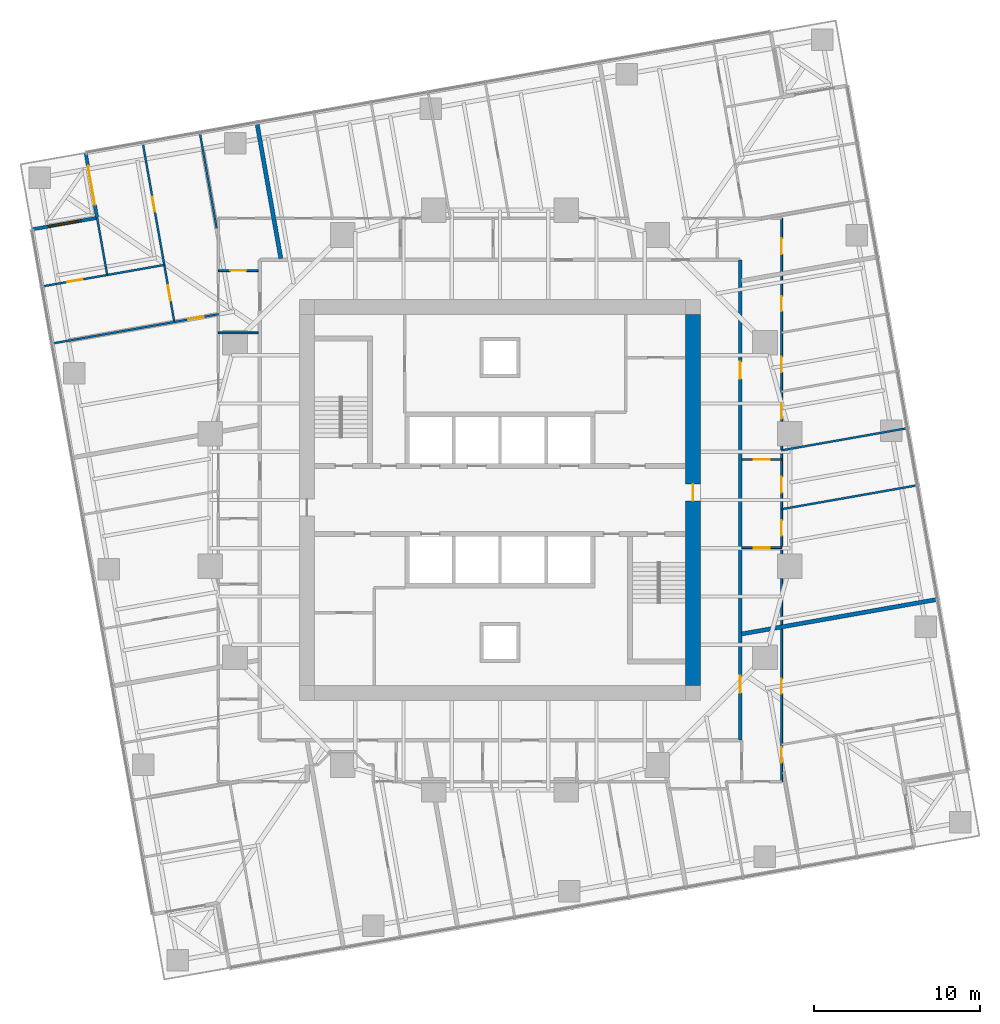
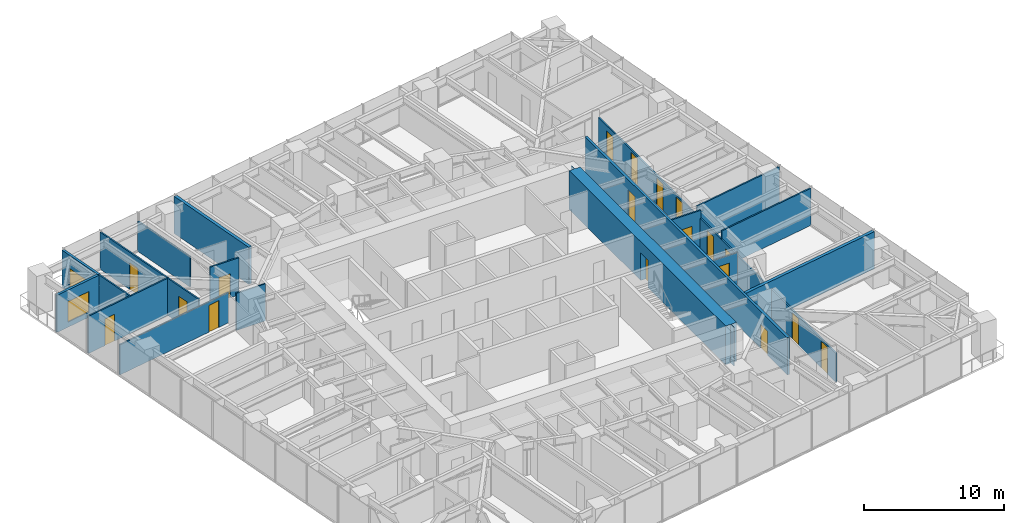
# One storey, part 11 of 14: 19 doors, 18 walls, 1 window, 20 openings.
"""IFC4 building model written with IfcOpenShell, lengths in metres."""

from ifc_helpers import new_model, si_unit, direction, frame, frame_2d, origin, place, context, subcontext, project, spatial, polyline, rectangle, outline, extrude, material, layer, layer_set, type_object, element, fill, save


model = new_model("IFC4")

# Units and contexts
model_context = context("Model", 3, precision=1e-05, world=origin(), true_north=direction((0.0, 1.0)))
body_context = subcontext(model_context, "Body", "Model", "MODEL_VIEW")
ifc_project = project(units=[si_unit("LENGTHUNIT", "METRE"), si_unit("AREAUNIT", "SQUARE_METRE"), si_unit("VOLUMEUNIT", "CUBIC_METRE"), si_unit("PLANEANGLEUNIT", "RADIAN"), si_unit("MASSUNIT", "GRAM", prefix="KILO")], contexts=[model_context])

# Site, building, storey
site_placement = place(None, origin())
site = spatial("IfcSite", under=ifc_project, at=site_placement, CompositionType="ELEMENT")
building_placement = place(site_placement, origin())
building = spatial("IfcBuilding", under=site, at=building_placement, Name="Torsade Residences", CompositionType="ELEMENT")
storey_placement = place(building_placement, frame((0.0, 0.0, 86.199951171875)))
storey = spatial("IfcBuildingStorey", under=building, at=storey_placement, Name="L23", CompositionType="ELEMENT", Elevation=86.199951171875)

# Wall, opening, door
ifc_material_1 = material(Name="Concrete 80 MPa", Category="concrete")
ifc_layer_1 = layer(ifc_material_1, 0.89990234375)
ifc_layer_set_1 = layer_set([ifc_layer_1], Name="Concrete 80 MPa")
wall_type_1 = type_object("IfcWallType", Name="CORE WALL 900", PredefinedType="SHEAR", material=ifc_layer_set_1)
wall_1_placement = place(storey_placement, frame((51.64990234375, 18.800048828125, 0.0), z_axis=(0.0, 0.0, 1.0), x_axis=(0.0, 1.0, 0.0)))
wall_1 = element("IfcWall", 1, at=wall_1_placement, inside=storey, type_object=wall_type_1, Name="Core wall E L23", PredefinedType="SHEAR", context=body_context, shape_type="SweptSolid", body=[
    extrude(outline(polyline([(0.0, -0.449951171875), (22.39990234375, -0.449951171875), (22.39990234375, -0.02490234375), (22.849853515625, -0.02490234375), (22.849853515625, 0.02490234375), (22.39990234375, 0.02490234375), (22.39990234375, 0.449951171875), (0.0, 0.449951171875), (0.0, 0.02490234375), (-0.449951171875, 0.02490234375), (-0.449951171875, -0.02490234375), (0.0, -0.02490234375), (0.0, -0.449951171875)])), origin(), (0.0, 0.0, 1.0), 3.400146484375),
])
opening_1_placement = place(wall_1_placement, frame((11.139892578125, 0.0, 0.0)))
opening_1 = element("IfcOpeningElement", 2, at=opening_1_placement, cuts=wall_1, Name="Opening D04", PredefinedType="OPENING", context=body_context, shape_type="SweptSolid", body=[
    extrude(rectangle(XDim=1.02001953125, YDim=2.39990234375, at=frame_2d((0.510009765625, 1.199951171875))), frame((0.0, 0.4599609375, 0.0), z_axis=(0.0, -1.0, 0.0), x_axis=(1.0, 0.0, 0.0)), (0.0, 0.0, 1.0), 0.919921875),
])
ifc_material_2 = material(Name="Steel-framed fire door", Category="steel")
door_type_1 = type_object("IfcDoorType", Name="LOBBY SMOKE DOOR 1020x2400", OperationType="NOTDEFINED", PredefinedType="DOOR", material=ifc_material_2)
door_1_placement = place(opening_1_placement, origin())
door_1 = element("IfcDoor", 3, at=door_1_placement, inside=storey, type_object=door_type_1, Name="Lift lobby door E L23", OperationType="SINGLE_SWING_LEFT", OverallHeight=2.39990234375, OverallWidth=1.02001953125, PredefinedType="DOOR", context=body_context, shape_type="SweptSolid", body=[
    extrude(rectangle(XDim=1.02001953125, YDim=2.39990234375, at=frame_2d((0.510009765625, 1.199951171875))), frame((0.0, 0.02490234375, 0.0), z_axis=(0.0, -1.0, 0.0), x_axis=(1.0, 0.0, 0.0)), (0.0, 0.0, 1.0), 0.050048828125),
])
fill(opening_1, door_1)

# Wall, openings, doors
ifc_material_3 = material(Name="Plasterboard on steel stud", Category="steel")
ifc_layer_2 = layer(ifc_material_3, 0.199951171875)
ifc_layer_set_2 = layer_set([ifc_layer_2], Name="Plasterboard on steel stud")
wall_type_2 = type_object("IfcWallType", Name="CORRIDOR WALL 200", PredefinedType="PARTITIONING", material=ifc_layer_set_2)
wall_2_placement = place(storey_placement, frame((54.5, 15.5, 0.0), z_axis=(0.0, 0.0, 1.0), x_axis=(0.0, 1.0, 0.0)))
wall_2 = element("IfcWall", 4, at=wall_2_placement, inside=storey, type_object=wall_type_2, Name="Corridor wall L23", PredefinedType="PARTITIONING", context=body_context, shape_type="SweptSolid", body=[
    extrude(rectangle(XDim=29.0, YDim=0.199951171875, at=frame_2d((14.5, 0.0))), origin(), (0.0, 0.0, 1.0), 3.25),
])
opening_2_placement = place(wall_2_placement, frame((21.8154296875, 0.0, 0.0)))
opening_2 = element("IfcOpeningElement", 5, at=opening_2_placement, cuts=wall_2, Name="Opening D01", PredefinedType="OPENING", context=body_context, shape_type="SweptSolid", body=[
    extrude(rectangle(XDim=1.02001953125, YDim=2.340087890625, at=frame_2d((0.510009765625, 1.169921875))), frame((0.0, 0.10986328125, 0.0), z_axis=(0.0, -1.0, 0.0), x_axis=(1.0, 0.0, 0.0)), (0.0, 0.0, 1.0), 0.219970703125),
])
opening_3_placement = place(wall_2_placement, frame((2.85546875, 0.0, 0.0)))
opening_3 = element("IfcOpeningElement", 6, at=opening_3_placement, cuts=wall_2, Name="Opening D01L", PredefinedType="OPENING", context=body_context, shape_type="SweptSolid", body=[
    extrude(rectangle(XDim=1.02001953125, YDim=2.10009765625, at=frame_2d((0.510009765625, 1.050048828125))), frame((0.0, 0.10986328125, 0.0), z_axis=(0.0, -1.0, 0.0), x_axis=(1.0, 0.0, 0.0)), (0.0, 0.0, 1.0), 0.219970703125),
])
ifc_material_4 = material(Name="Solid-core timber fire door", Category="wood")
door_type_2 = type_object("IfcDoorType", Name="APARTMENT ENTRY DOOR 1020x2100", OperationType="NOTDEFINED", PredefinedType="DOOR", material=ifc_material_4)
door_2_placement = place(opening_3_placement, origin())
door_2 = element("IfcDoor", 7, at=door_2_placement, inside=storey, type_object=door_type_2, Name="Door Residential corridor to Kitchen and dining", OperationType="SINGLE_SWING_LEFT", OverallHeight=2.10009765625, OverallWidth=1.02001953125, PredefinedType="DOOR", context=body_context, shape_type="SweptSolid", body=[
    extrude(rectangle(XDim=1.02001953125, YDim=2.10009765625, at=frame_2d((0.510009765625, 1.050048828125))), frame((0.0, 0.02490234375, 0.0), z_axis=(0.0, -1.0, 0.0), x_axis=(1.0, 0.0, 0.0)), (0.0, 0.0, 1.0), 0.050048828125),
])
fill(opening_3, door_2)
ifc_material_5 = material(Name="Solid-core timber fire door", Category="wood")
door_type_3 = type_object("IfcDoorType", Name="APARTMENT ENTRY DOOR 1020x2340", OperationType="NOTDEFINED", PredefinedType="DOOR", material=ifc_material_5)
door_3_placement = place(opening_2_placement, origin())
door_3 = element("IfcDoor", 8, at=door_3_placement, inside=storey, type_object=door_type_3, Name="Door Residential corridor to Kitchen and dining", OperationType="SINGLE_SWING_LEFT", OverallHeight=2.340087890625, OverallWidth=1.02001953125, PredefinedType="DOOR", context=body_context, shape_type="SweptSolid", body=[
    extrude(rectangle(XDim=1.02001953125, YDim=2.340087890625, at=frame_2d((0.510009765625, 1.169921875))), frame((0.0, 0.02490234375, 0.0), z_axis=(0.0, -1.0, 0.0), x_axis=(1.0, 0.0, 0.0)), (0.0, 0.0, 1.0), 0.050048828125),
])
fill(opening_2, door_3)

ifc_material_6 = material(Name="Plasterboard on steel stud", Category="steel")
ifc_layer_3 = layer(ifc_material_6, 0.1201171875)
ifc_layer_set_3 = layer_set([ifc_layer_3], Name="Plasterboard on steel stud")
wall_type_3 = type_object("IfcWallType", Name="PARTITION 120", PredefinedType="PARTITIONING", material=ifc_layer_set_3)
wall_3_placement = place(storey_placement, frame((57.0, 47.0, 0.0), z_axis=(0.0, 0.0, 1.0), x_axis=(0.0, -1.0, 0.0)))
wall_3 = element("IfcWall", 9, at=wall_3_placement, inside=storey, type_object=wall_type_3, Name="Partition L23", PredefinedType="PARTITIONING", context=body_context, shape_type="SweptSolid", body=[
    extrude(rectangle(XDim=34.0, YDim=0.1201171875, at=frame_2d((17.0, 0.0))), origin(), (0.0, 0.0, 1.0), 2.550048828125),
])
opening_4_placement = place(wall_3_placement, frame((8.361328125, 0.0, 0.0)))
opening_4 = element("IfcOpeningElement", 10, at=opening_4_placement, cuts=wall_3, Name="Opening D02", PredefinedType="OPENING", context=body_context, shape_type="SweptSolid", body=[
    extrude(rectangle(XDim=0.919921875, YDim=2.340087890625, at=frame_2d((0.4599609375, 1.169921875))), frame((0.0, 0.070068359375, 0.0), z_axis=(0.0, -1.0, 0.0), x_axis=(1.0, 0.0, 0.0)), (0.0, 0.0, 1.0), 0.14013671875),
])
opening_5_placement = place(wall_3_placement, frame((11.16552734375, 0.0, 0.0)))
opening_5 = element("IfcOpeningElement", 11, at=opening_5_placement, cuts=wall_3, Name="Opening D02", PredefinedType="OPENING", context=body_context, shape_type="SweptSolid", body=[
    extrude(rectangle(XDim=0.919921875, YDim=2.340087890625, at=frame_2d((0.4599609375, 1.169921875))), frame((0.0, 0.070068359375, 0.0), z_axis=(0.0, -1.0, 0.0), x_axis=(1.0, 0.0, 0.0)), (0.0, 0.0, 1.0), 0.14013671875),
])
opening_6_placement = place(wall_3_placement, frame((4.682861328125, 0.0, 0.0)))
opening_6 = element("IfcOpeningElement", 12, at=opening_6_placement, cuts=wall_3, Name="Opening D02", PredefinedType="OPENING", context=body_context, shape_type="SweptSolid", body=[
    extrude(rectangle(XDim=0.919921875, YDim=2.340087890625, at=frame_2d((0.4599609375, 1.169921875))), frame((0.0, 0.070068359375, 0.0), z_axis=(0.0, -1.0, 0.0), x_axis=(1.0, 0.0, 0.0)), (0.0, 0.0, 1.0), 0.14013671875),
])
opening_7_placement = place(wall_3_placement, frame((27.78369140625, 0.0, 0.0)))
opening_7 = element("IfcOpeningElement", 13, at=opening_7_placement, cuts=wall_3, Name="Opening D02", PredefinedType="OPENING", context=body_context, shape_type="SweptSolid", body=[
    extrude(rectangle(XDim=0.919921875, YDim=2.340087890625, at=frame_2d((0.4599609375, 1.169921875))), frame((0.0, 0.070068359375, 0.0), z_axis=(0.0, -1.0, 0.0), x_axis=(1.0, 0.0, 0.0)), (0.0, 0.0, 1.0), 0.14013671875),
])
opening_8_placement = place(wall_3_placement, frame((31.939208984375, 0.0, 0.0)))
opening_8 = element("IfcOpeningElement", 14, at=opening_8_placement, cuts=wall_3, Name="Opening D02", PredefinedType="OPENING", context=body_context, shape_type="SweptSolid", body=[
    extrude(rectangle(XDim=0.919921875, YDim=2.340087890625, at=frame_2d((0.4599609375, 1.169921875))), frame((0.0, 0.070068359375, 0.0), z_axis=(0.0, -1.0, 0.0), x_axis=(1.0, 0.0, 0.0)), (0.0, 0.0, 1.0), 0.14013671875),
])
opening_9_placement = place(wall_3_placement, frame((15.600830078125, 0.0, 0.0)))
opening_9 = element("IfcOpeningElement", 15, at=opening_9_placement, cuts=wall_3, Name="Opening D05", PredefinedType="OPENING", context=body_context, shape_type="SweptSolid", body=[
    extrude(rectangle(XDim=0.9599609375, YDim=2.10009765625, at=frame_2d((0.47998046875, 1.050048828125))), frame((0.0, 0.070068359375, 0.0), z_axis=(0.0, -1.0, 0.0), x_axis=(1.0, 0.0, 0.0)), (0.0, 0.0, 1.0), 0.14013671875),
])
opening_10_placement = place(wall_3_placement, frame((18.209716796875, 0.0, 0.0)))
opening_10 = element("IfcOpeningElement", 16, at=opening_10_placement, cuts=wall_3, Name="Opening D05", PredefinedType="OPENING", context=body_context, shape_type="SweptSolid", body=[
    extrude(rectangle(XDim=0.9599609375, YDim=2.10009765625, at=frame_2d((0.47998046875, 1.050048828125))), frame((0.0, 0.070068359375, 0.0), z_axis=(0.0, -1.0, 0.0), x_axis=(1.0, 0.0, 0.0)), (0.0, 0.0, 1.0), 0.14013671875),
])
opening_11_placement = place(wall_3_placement, frame((1.190185546875, 0.0, 0.0)))
opening_11 = element("IfcOpeningElement", 17, at=opening_11_placement, cuts=wall_3, Name="Opening D05", PredefinedType="OPENING", context=body_context, shape_type="SweptSolid", body=[
    extrude(rectangle(XDim=0.9599609375, YDim=2.10009765625, at=frame_2d((0.47998046875, 1.050048828125))), frame((0.0, 0.070068359375, 0.0), z_axis=(0.0, -1.0, 0.0), x_axis=(1.0, 0.0, 0.0)), (0.0, 0.0, 1.0), 0.14013671875),
])
ifc_material_7 = material(Name="Hollow-core timber door in a steel cavity frame", Category="steel")
door_type_4 = type_object("IfcDoorType", Name="BATHROOM CAVITY SLIDING DOOR 960", OperationType="SLIDING_TO_LEFT", PredefinedType="DOOR", material=ifc_material_7)
door_4_placement = place(opening_9_placement, origin())
door_4 = element("IfcDoor", 18, at=door_4_placement, inside=storey, type_object=door_type_4, Name="Door Bathroom to Bedroom 1", OperationType="SLIDING_TO_LEFT", OverallHeight=2.10009765625, OverallWidth=0.9599609375, PredefinedType="DOOR", context=body_context, shape_type="SweptSolid", body=[
    extrude(rectangle(XDim=0.9599609375, YDim=2.10009765625, at=frame_2d((0.47998046875, 1.050048828125))), frame((0.0, 0.02490234375, 0.0), z_axis=(0.0, -1.0, 0.0), x_axis=(1.0, 0.0, 0.0)), (0.0, 0.0, 1.0), 0.050048828125),
])
fill(opening_9, door_4)
door_5_placement = place(opening_10_placement, origin())
door_5 = element("IfcDoor", 19, at=door_5_placement, inside=storey, type_object=door_type_4, Name="Door Bathroom to Living room", OperationType="SLIDING_TO_LEFT", OverallHeight=2.10009765625, OverallWidth=0.9599609375, PredefinedType="DOOR", context=body_context, shape_type="SweptSolid", body=[
    extrude(rectangle(XDim=0.9599609375, YDim=2.10009765625, at=frame_2d((0.47998046875, 1.050048828125))), frame((0.0, 0.02490234375, 0.0), z_axis=(0.0, -1.0, 0.0), x_axis=(1.0, 0.0, 0.0)), (0.0, 0.0, 1.0), 0.050048828125),
])
fill(opening_10, door_5)
door_6_placement = place(opening_11_placement, origin())
door_6 = element("IfcDoor", 20, at=door_6_placement, inside=storey, type_object=door_type_4, Name="Door Bathroom to Study", OperationType="SLIDING_TO_LEFT", OverallHeight=2.10009765625, OverallWidth=0.9599609375, PredefinedType="DOOR", context=body_context, shape_type="SweptSolid", body=[
    extrude(rectangle(XDim=0.9599609375, YDim=2.10009765625, at=frame_2d((0.47998046875, 1.050048828125))), frame((0.0, 0.02490234375, 0.0), z_axis=(0.0, -1.0, 0.0), x_axis=(1.0, 0.0, 0.0)), (0.0, 0.0, 1.0), 0.050048828125),
])
fill(opening_11, door_6)
ifc_material_8 = material(Name="Hollow-core timber door", Category="wood")
door_type_5 = type_object("IfcDoorType", Name="INTERNAL DOOR 920x2340", OperationType="NOTDEFINED", PredefinedType="DOOR", material=ifc_material_8)
door_7_placement = place(opening_4_placement, origin())
door_7 = element("IfcDoor", 21, at=door_7_placement, inside=storey, type_object=door_type_5, Name="Door Kitchen and dining to Study", OperationType="SINGLE_SWING_RIGHT", OverallHeight=2.340087890625, OverallWidth=0.919921875, PredefinedType="DOOR", context=body_context, shape_type="SweptSolid", body=[
    extrude(rectangle(XDim=0.919921875, YDim=2.340087890625, at=frame_2d((0.4599609375, 1.169921875))), frame((0.0, 0.02490234375, 0.0), z_axis=(0.0, -1.0, 0.0), x_axis=(1.0, 0.0, 0.0)), (0.0, 0.0, 1.0), 0.050048828125),
])
fill(opening_4, door_7)
door_8_placement = place(opening_5_placement, origin())
door_8 = element("IfcDoor", 22, at=door_8_placement, inside=storey, type_object=door_type_5, Name="Door Kitchen and dining to Bedroom 2", OperationType="SINGLE_SWING_RIGHT", OverallHeight=2.340087890625, OverallWidth=0.919921875, PredefinedType="DOOR", context=body_context, shape_type="SweptSolid", body=[
    extrude(rectangle(XDim=0.919921875, YDim=2.340087890625, at=frame_2d((0.4599609375, 1.169921875))), frame((0.0, 0.02490234375, 0.0), z_axis=(0.0, -1.0, 0.0), x_axis=(1.0, 0.0, 0.0)), (0.0, 0.0, 1.0), 0.050048828125),
])
fill(opening_5, door_8)
door_9_placement = place(opening_6_placement, origin())
door_9 = element("IfcDoor", 23, at=door_9_placement, inside=storey, type_object=door_type_5, Name="Door Kitchen and dining to Family room", OperationType="SINGLE_SWING_LEFT", OverallHeight=2.340087890625, OverallWidth=0.919921875, PredefinedType="DOOR", context=body_context, shape_type="SweptSolid", body=[
    extrude(rectangle(XDim=0.919921875, YDim=2.340087890625, at=frame_2d((0.4599609375, 1.169921875))), frame((0.0, 0.02490234375, 0.0), z_axis=(0.0, -1.0, 0.0), x_axis=(1.0, 0.0, 0.0)), (0.0, 0.0, 1.0), 0.050048828125),
])
fill(opening_6, door_9)
door_10_placement = place(opening_7_placement, origin())
door_10 = element("IfcDoor", 24, at=door_10_placement, inside=storey, type_object=door_type_5, Name="Door Kitchen and dining to Living room", OperationType="SINGLE_SWING_LEFT", OverallHeight=2.340087890625, OverallWidth=0.919921875, PredefinedType="DOOR", context=body_context, shape_type="SweptSolid", body=[
    extrude(rectangle(XDim=0.919921875, YDim=2.340087890625, at=frame_2d((0.4599609375, 1.169921875))), frame((0.0, 0.02490234375, 0.0), z_axis=(0.0, -1.0, 0.0), x_axis=(1.0, 0.0, 0.0)), (0.0, 0.0, 1.0), 0.050048828125),
])
fill(opening_7, door_10)
door_11_placement = place(opening_8_placement, origin())
door_11 = element("IfcDoor", 25, at=door_11_placement, inside=storey, type_object=door_type_5, Name="Door Kitchen and dining to Bedroom 2", OperationType="SINGLE_SWING_LEFT", OverallHeight=2.340087890625, OverallWidth=0.919921875, PredefinedType="DOOR", context=body_context, shape_type="SweptSolid", body=[
    extrude(rectangle(XDim=0.919921875, YDim=2.340087890625, at=frame_2d((0.4599609375, 1.169921875))), frame((0.0, 0.02490234375, 0.0), z_axis=(0.0, -1.0, 0.0), x_axis=(1.0, 0.0, 0.0)), (0.0, 0.0, 1.0), 0.050048828125),
])
fill(opening_8, door_11)

# Wall, opening, door
wall_4_placement = place(storey_placement, frame((57.0, 32.44580078125, 0.0), z_axis=(0.0, 0.0, 1.0), x_axis=(-1.0, 0.0, 0.0)))
wall_4 = element("IfcWall", 26, at=wall_4_placement, inside=storey, type_object=wall_type_3, Name="Partition L23", PredefinedType="PARTITIONING", context=body_context, shape_type="SweptSolid", body=[
    extrude(rectangle(XDim=2.39990234375, YDim=0.1201171875, at=frame_2d((1.199951171875, 0.0))), origin(), (0.0, 0.0, 1.0), 3.25),
])
opening_12_placement = place(wall_4_placement, frame((0.719970703125, 0.0, 0.0)))
opening_12 = element("IfcOpeningElement", 27, at=opening_12_placement, cuts=wall_4, Name="Opening D05", PredefinedType="OPENING", context=body_context, shape_type="SweptSolid", body=[
    extrude(rectangle(XDim=0.9599609375, YDim=2.10009765625, at=frame_2d((0.47998046875, 1.050048828125))), frame((0.0, 0.070068359375, 0.0), z_axis=(0.0, -1.0, 0.0), x_axis=(1.0, 0.0, 0.0)), (0.0, 0.0, 1.0), 0.14013671875),
])
door_12_placement = place(opening_12_placement, origin())
door_12 = element("IfcDoor", 28, at=door_12_placement, inside=storey, type_object=door_type_4, Name="Door Kitchen and dining to Bathroom", OperationType="SLIDING_TO_LEFT", OverallHeight=2.10009765625, OverallWidth=0.9599609375, PredefinedType="DOOR", context=body_context, shape_type="SweptSolid", body=[
    extrude(rectangle(XDim=0.9599609375, YDim=2.10009765625, at=frame_2d((0.47998046875, 1.050048828125))), frame((0.0, 0.02490234375, 0.0), z_axis=(0.0, -1.0, 0.0), x_axis=(1.0, 0.0, 0.0)), (0.0, 0.0, 1.0), 0.050048828125),
])
fill(opening_12, door_12)

wall_5_placement = place(storey_placement, frame((57.0, 27.126220703125, 0.0), z_axis=(0.0, 0.0, 1.0), x_axis=(-1.0, 0.0, 0.0)))
wall_5 = element("IfcWall", 29, at=wall_5_placement, inside=storey, type_object=wall_type_3, Name="Partition L23", PredefinedType="PARTITIONING", context=body_context, shape_type="SweptSolid", body=[
    extrude(rectangle(XDim=2.39990234375, YDim=0.1201171875, at=frame_2d((1.199951171875, 0.0))), origin(), (0.0, 0.0, 1.0), 2.796142578125),
])
opening_13_placement = place(wall_5_placement, frame((0.719970703125, 0.0, 0.0)))
opening_13 = element("IfcOpeningElement", 30, at=opening_13_placement, cuts=wall_5, Name="Opening D05", PredefinedType="OPENING", context=body_context, shape_type="SweptSolid", body=[
    extrude(rectangle(XDim=0.9599609375, YDim=2.10009765625, at=frame_2d((0.47998046875, 1.050048828125))), frame((0.0, 0.070068359375, 0.0), z_axis=(0.0, -1.0, 0.0), x_axis=(1.0, 0.0, 0.0)), (0.0, 0.0, 1.0), 0.14013671875),
])
door_13_placement = place(opening_13_placement, origin())
door_13 = element("IfcDoor", 31, at=door_13_placement, inside=storey, type_object=door_type_4, Name="Door Bathroom to Ensuite", OperationType="SLIDING_TO_LEFT", OverallHeight=2.10009765625, OverallWidth=0.9599609375, PredefinedType="DOOR", context=body_context, shape_type="SweptSolid", body=[
    extrude(rectangle(XDim=0.9599609375, YDim=2.10009765625, at=frame_2d((0.47998046875, 1.050048828125))), frame((0.0, 0.02490234375, 0.0), z_axis=(0.0, -1.0, 0.0), x_axis=(1.0, 0.0, 0.0)), (0.0, 0.0, 1.0), 0.050048828125),
])
fill(opening_13, door_13)

# Walls
wall_6_placement = place(storey_placement, frame((57.0, 29.443603515625, 0.0), z_axis=(0.0, 0.0, 1.0), x_axis=(0.984807787824, 0.173647980238, 0.0)))
element("IfcWall", 32, at=wall_6_placement, inside=storey, type_object=wall_type_3, Name="Partition L23", PredefinedType="PARTITIONING", context=body_context, shape_type="SweptSolid", body=[
    extrude(rectangle(XDim=8.314697265625, YDim=0.1201171875, at=frame_2d((4.1572265625, 0.0))), origin(), (0.0, 0.0, 1.0), 3.25),
])
wall_7_placement = place(storey_placement, frame((57.0, 32.99755859375, 0.0), z_axis=(0.0, 0.0, 1.0), x_axis=(0.984808453088, 0.173644207293, 0.0)))
element("IfcWall", 33, at=wall_7_placement, inside=storey, type_object=wall_type_3, Name="Partition L23", PredefinedType="PARTITIONING", context=body_context, shape_type="SweptSolid", body=[
    extrude(rectangle(XDim=7.69775390625, YDim=0.1201171875, at=frame_2d((3.848876953125, 0.0))), origin(), (0.0, 0.0, 1.0), 3.25),
])
wall_8_placement = place(storey_placement, frame((25.39990234375, 40.088134765625, 0.0), z_axis=(0.0, 0.0, 1.0), x_axis=(-1.0, 0.0, 0.0)))
element("IfcWall", 34, at=wall_8_placement, inside=storey, type_object=wall_type_3, Name="Partition L23", PredefinedType="PARTITIONING", context=body_context, shape_type="SweptSolid", body=[
    extrude(rectangle(XDim=2.39990234375, YDim=0.1201171875, at=frame_2d((1.199951171875, 0.0))), origin(), (0.0, 0.0, 1.0), 3.25),
])

# Wall, opening, door
wall_9_placement = place(storey_placement, frame((23.0, 43.85595703125, 0.0), z_axis=(0.0, 0.0, 1.0), x_axis=(1.0, 0.0, 0.0)))
wall_9 = element("IfcWall", 35, at=wall_9_placement, inside=storey, type_object=wall_type_3, Name="Partition L23", PredefinedType="PARTITIONING", context=body_context, shape_type="SweptSolid", body=[
    extrude(rectangle(XDim=2.39990234375, YDim=0.1201171875, at=frame_2d((1.199951171875, 0.0))), origin(), (0.0, 0.0, 1.0), 3.25),
])
opening_14_placement = place(wall_9_placement, frame((0.719970703125, 0.0, 0.0)))
opening_14 = element("IfcOpeningElement", 36, at=opening_14_placement, cuts=wall_9, Name="Opening D05", PredefinedType="OPENING", context=body_context, shape_type="SweptSolid", body=[
    extrude(rectangle(XDim=0.9599609375, YDim=2.10009765625, at=frame_2d((0.47998046875, 1.050048828125))), frame((0.0, 0.070068359375, 0.0), z_axis=(0.0, -1.0, 0.0), x_axis=(1.0, 0.0, 0.0)), (0.0, 0.0, 1.0), 0.14013671875),
])
door_14_placement = place(opening_14_placement, origin())
door_14 = element("IfcDoor", 37, at=door_14_placement, inside=storey, type_object=door_type_4, Name="Door Kitchen and dining to WC", OperationType="SLIDING_TO_LEFT", OverallHeight=2.10009765625, OverallWidth=0.9599609375, PredefinedType="DOOR", context=body_context, shape_type="SweptSolid", body=[
    extrude(rectangle(XDim=0.9599609375, YDim=2.10009765625, at=frame_2d((0.47998046875, 1.050048828125))), frame((0.0, 0.02490234375, 0.0), z_axis=(0.0, -1.0, 0.0), x_axis=(1.0, 0.0, 0.0)), (0.0, 0.0, 1.0), 0.050048828125),
])
fill(opening_14, door_14)

wall_10_placement = place(storey_placement, frame((12.988037109375, 39.453125, 0.0), z_axis=(0.0, 0.0, 1.0), x_axis=(0.984807724889, 0.173648337162, 0.0)))
wall_10 = element("IfcWall", 38, at=wall_10_placement, inside=storey, type_object=wall_type_3, Name="Partition L23", PredefinedType="PARTITIONING", context=body_context, shape_type="SweptSolid", body=[
    extrude(rectangle(XDim=10.16650390625, YDim=0.1201171875, at=frame_2d((5.083251953125, 0.0))), origin(), (0.0, 0.0, 1.0), 2.637939453125),
])
opening_15_placement = place(wall_10_placement, frame((8.328125, 0.0, 0.0)))
opening_15 = element("IfcOpeningElement", 39, at=opening_15_placement, cuts=wall_10, Name="Opening D02", PredefinedType="OPENING", context=body_context, shape_type="SweptSolid", body=[
    extrude(rectangle(XDim=0.919921875, YDim=2.340087890625, at=frame_2d((0.4599609375, 1.169921875))), frame((0.0, 0.070068359375, 0.0), z_axis=(0.0, -1.0, 0.0), x_axis=(1.0, 0.0, 0.0)), (0.0, 0.0, 1.0), 0.14013671875),
])
door_15_placement = place(opening_15_placement, origin())
door_15 = element("IfcDoor", 40, at=door_15_placement, inside=storey, type_object=door_type_5, Name="Door Bedroom 1 to Living room", OperationType="SINGLE_SWING_LEFT", OverallHeight=2.340087890625, OverallWidth=0.919921875, PredefinedType="DOOR", context=body_context, shape_type="SweptSolid", body=[
    extrude(rectangle(XDim=0.919921875, YDim=2.340087890625, at=frame_2d((0.4599609375, 1.169921875))), frame((0.0, 0.02490234375, 0.0), z_axis=(0.0, -1.0, 0.0), x_axis=(1.0, 0.0, 0.0)), (0.0, 0.0, 1.0), 0.050048828125),
])
fill(opening_15, door_15)

# Wall, openings, doors
wall_11_placement = place(storey_placement, frame((20.334716796875, 40.74853515625, 0.0), z_axis=(0.0, 0.0, 1.0), x_axis=(-0.173639194339, 0.984809336973, 0.0)))
wall_11 = element("IfcWall", 41, at=wall_11_placement, inside=storey, type_object=wall_type_3, Name="Partition L23", PredefinedType="PARTITIONING", context=body_context, shape_type="SweptSolid", body=[
    extrude(rectangle(XDim=10.9599609375, YDim=0.1201171875, at=frame_2d((5.47998046875, 0.0))), origin(), (0.0, 0.0, 1.0), 3.25),
])
opening_16_placement = place(wall_11_placement, frame((6.764892578125, 0.0, 0.0)))
opening_16 = element("IfcOpeningElement", 42, at=opening_16_placement, cuts=wall_11, Name="Opening D02", PredefinedType="OPENING", context=body_context, shape_type="SweptSolid", body=[
    extrude(rectangle(XDim=0.919921875, YDim=2.340087890625, at=frame_2d((0.4599609375, 1.169921875))), frame((0.0, 0.070068359375, 0.0), z_axis=(0.0, -1.0, 0.0), x_axis=(1.0, 0.0, 0.0)), (0.0, 0.0, 1.0), 0.14013671875),
])
opening_17_placement = place(wall_11_placement, frame((1.31494140625, 0.0, 0.0)))
opening_17 = element("IfcOpeningElement", 43, at=opening_17_placement, cuts=wall_11, Name="Opening D02", PredefinedType="OPENING", context=body_context, shape_type="SweptSolid", body=[
    extrude(rectangle(XDim=0.919921875, YDim=2.340087890625, at=frame_2d((0.4599609375, 1.169921875))), frame((0.0, 0.070068359375, 0.0), z_axis=(0.0, -1.0, 0.0), x_axis=(1.0, 0.0, 0.0)), (0.0, 0.0, 1.0), 0.14013671875),
])
door_16_placement = place(opening_16_placement, origin())
door_16 = element("IfcDoor", 44, at=door_16_placement, inside=storey, type_object=door_type_5, Name="Door Bedroom 1 to Study", OperationType="SINGLE_SWING_RIGHT", OverallHeight=2.340087890625, OverallWidth=0.919921875, PredefinedType="DOOR", context=body_context, shape_type="SweptSolid", body=[
    extrude(rectangle(XDim=0.919921875, YDim=2.340087890625, at=frame_2d((0.4599609375, 1.169921875))), frame((0.0, 0.02490234375, 0.0), z_axis=(0.0, -1.0, 0.0), x_axis=(1.0, 0.0, 0.0)), (0.0, 0.0, 1.0), 0.050048828125),
])
fill(opening_16, door_16)
door_17_placement = place(opening_17_placement, origin())
door_17 = element("IfcDoor", 45, at=door_17_placement, inside=storey, type_object=door_type_5, Name="Door Bedroom 1 to Bedroom 2", OperationType="SINGLE_SWING_RIGHT", OverallHeight=2.340087890625, OverallWidth=0.919921875, PredefinedType="DOOR", context=body_context, shape_type="SweptSolid", body=[
    extrude(rectangle(XDim=0.919921875, YDim=2.340087890625, at=frame_2d((0.4599609375, 1.169921875))), frame((0.0, 0.02490234375, 0.0), z_axis=(0.0, -1.0, 0.0), x_axis=(1.0, 0.0, 0.0)), (0.0, 0.0, 1.0), 0.050048828125),
])
fill(opening_17, door_17)

# Wall
wall_12_placement = place(storey_placement, frame((21.87841796875, 52.149658203125, 0.0), z_axis=(0.0, 0.0, 1.0), x_axis=(0.173634707655, -0.984810128044, 0.0)))
element("IfcWall", 46, at=wall_12_placement, inside=storey, type_object=wall_type_3, Name="Partition L23", PredefinedType="PARTITIONING", context=body_context, shape_type="SweptSolid", body=[
    extrude(rectangle(XDim=5.8251953125, YDim=0.1201171875, at=frame_2d((2.91259765625, 0.0))), origin(), (0.0, 0.0, 1.0), 2.637939453125),
])

# Wall, opening, door
wall_13_placement = place(storey_placement, frame((12.38037109375, 42.89990234375, 0.0), z_axis=(0.0, 0.0, 1.0), x_axis=(0.984807929323, 0.173647177755, 0.0)))
wall_13 = element("IfcWall", 47, at=wall_13_placement, inside=storey, type_object=wall_type_3, Name="Partition L23", PredefinedType="PARTITIONING", context=body_context, shape_type="SweptSolid", body=[
    extrude(rectangle(XDim=7.4599609375, YDim=0.1201171875, at=frame_2d((3.72998046875, 0.0))), origin(), (0.0, 0.0, 1.0), 3.25),
])
opening_18_placement = place(wall_13_placement, frame((1.525146484375, 0.0, 0.0)))
opening_18 = element("IfcOpeningElement", 48, at=opening_18_placement, cuts=wall_13, Name="Opening D02", PredefinedType="OPENING", context=body_context, shape_type="SweptSolid", body=[
    extrude(rectangle(XDim=0.919921875, YDim=2.340087890625, at=frame_2d((0.4599609375, 1.169921875))), frame((0.0, 0.070068359375, 0.0), z_axis=(0.0, -1.0, 0.0), x_axis=(1.0, 0.0, 0.0)), (0.0, 0.0, 1.0), 0.14013671875),
])
door_18_placement = place(opening_18_placement, origin())
door_18 = element("IfcDoor", 49, at=door_18_placement, inside=storey, type_object=door_type_5, Name="Door Bedroom 2 to Media room", OperationType="SINGLE_SWING_RIGHT", OverallHeight=2.340087890625, OverallWidth=0.919921875, PredefinedType="DOOR", context=body_context, shape_type="SweptSolid", body=[
    extrude(rectangle(XDim=0.919921875, YDim=2.340087890625, at=frame_2d((0.4599609375, 1.169921875))), frame((0.0, 0.02490234375, 0.0), z_axis=(0.0, -1.0, 0.0), x_axis=(1.0, 0.0, 0.0)), (0.0, 0.0, 1.0), 0.050048828125),
])
fill(opening_18, door_18)

# Walls
wall_14_placement = place(storey_placement, frame((16.2802734375, 43.587646484375, 0.0), z_axis=(0.0, 0.0, 1.0), x_axis=(-0.173660541335, 0.984805572884, 0.0)))
element("IfcWall", 50, at=wall_14_placement, inside=storey, type_object=wall_type_3, Name="Partition L23", PredefinedType="PARTITIONING", context=body_context, shape_type="SweptSolid", body=[
    extrude(rectangle(XDim=3.459716796875, YDim=0.1201171875, at=frame_2d((1.72998046875, 0.0))), origin(), (0.0, 0.0, 1.0), 3.25),
])
ifc_material_9 = material(Name="Masonry-lined stud party wall", Category="masonry")
ifc_layer_4 = layer(ifc_material_9, 0.25)
ifc_layer_set_4 = layer_set([ifc_layer_4], Name="Masonry-lined stud party wall")
wall_type_4 = type_object("IfcWallType", Name="PARTY WALL 250", PredefinedType="PARTITIONING", material=ifc_layer_set_4)
wall_15_placement = place(storey_placement, frame((66.443603515625, 24.000732421875, 0.0), z_axis=(0.0, 0.0, 1.0), x_axis=(-0.984806609184, -0.173654664517, 0.0)))
element("IfcWall", 51, at=wall_15_placement, inside=storey, type_object=wall_type_4, Name="Party wall L23", PredefinedType="PARTITIONING", context=body_context, shape_type="SweptSolid", body=[
    extrude(rectangle(XDim=12.04443359375, YDim=0.25, at=frame_2d((6.022216796875, 0.0))), origin(), (0.0, 0.0, 1.0), 3.25),
])
wall_16_placement = place(storey_placement, frame((25.318359375, 52.796875, 0.0), z_axis=(0.0, 0.0, 1.0), x_axis=(0.173651756605, -0.984807121942, 0.0)))
element("IfcWall", 52, at=wall_16_placement, inside=storey, type_object=wall_type_4, Name="Party wall L23", PredefinedType="PARTITIONING", context=body_context, shape_type="SweptSolid", body=[
    extrude(rectangle(XDim=8.34130859375, YDim=0.25, at=frame_2d((4.170654296875, 0.0))), origin(), (0.0, 0.0, 1.0), 3.25),
])

# Wall, opening, door
ifc_material_10 = material(Name="Stone-faced precast concrete 40 MPa panel", Category="masonry")
ifc_layer_5 = layer(ifc_material_10, 0.199951171875)
ifc_layer_set_5 = layer_set([ifc_layer_5], Name="Stone-faced precast concrete 40 MPa panel")
wall_type_5 = type_object("IfcWallType", Name="TERRACE WALL 200", PredefinedType="SOLIDWALL", material=ifc_layer_set_5)
wall_17_placement = place(storey_placement, frame((14.977783203125, 50.9736328125, 0.0), z_axis=(0.0, 0.0, 1.0), x_axis=(0.173646056486, -0.984808127031, 0.0)))
wall_17 = element("IfcWall", 53, at=wall_17_placement, inside=storey, type_object=wall_type_5, Name="Terrace wall L23 8", PredefinedType="SOLIDWALL", context=body_context, shape_type="SweptSolid", body=[
    extrude(rectangle(XDim=4.0, YDim=0.199951171875, at=frame_2d((2.0, 0.0))), origin(), (0.0, 0.0, 1.0), 3.25),
])
opening_19_placement = place(wall_17_placement, frame((0.800048828125, 0.0, 0.0)))
opening_19 = element("IfcOpeningElement", 54, at=opening_19_placement, cuts=wall_17, Name="Opening D10A", PredefinedType="OPENING", context=body_context, shape_type="SweptSolid", body=[
    extrude(rectangle(XDim=2.39990234375, YDim=2.10009765625, at=frame_2d((1.199951171875, 1.050048828125))), frame((0.0, 0.10986328125, 0.0), z_axis=(0.0, -1.0, 0.0), x_axis=(1.0, 0.0, 0.0)), (0.0, 0.0, 1.0), 0.219970703125),
])
ifc_material_11 = material(Name="Aluminium-framed glass door", Category="aluminium")
door_type_6 = type_object("IfcDoorType", Name="TERRACE SLIDING DOOR 2400x2100", OperationType="SLIDING_TO_LEFT", PredefinedType="DOOR", material=ifc_material_11)
door_19_placement = place(opening_19_placement, origin())
door_19 = element("IfcDoor", 55, at=door_19_placement, inside=storey, type_object=door_type_6, Name="Terrace door L23 8", OperationType="SLIDING_TO_LEFT", OverallHeight=2.10009765625, OverallWidth=2.39990234375, PredefinedType="DOOR", context=body_context, shape_type="SweptSolid", body=[
    extrude(rectangle(XDim=2.39990234375, YDim=2.10009765625, at=frame_2d((1.199951171875, 1.050048828125))), frame((0.0, 0.02490234375, 0.0), z_axis=(0.0, -1.0, 0.0), x_axis=(1.0, 0.0, 0.0)), (0.0, 0.0, 1.0), 0.050048828125),
])
fill(opening_19, door_19)

# Wall, opening, window
wall_18_placement = place(storey_placement, frame((15.67236328125, 47.034423828125, 0.0), z_axis=(0.0, 0.0, 1.0), x_axis=(-0.984808127031, -0.173646056486, 0.0)))
wall_18 = element("IfcWall", 56, at=wall_18_placement, inside=storey, type_object=wall_type_5, Name="Terrace wall L23 9", PredefinedType="SOLIDWALL", context=body_context, shape_type="SweptSolid", body=[
    extrude(rectangle(XDim=4.0, YDim=0.199951171875, at=frame_2d((2.0, 0.0))), origin(), (0.0, 0.0, 1.0), 3.25),
])
opening_20_placement = place(wall_18_placement, frame((1.0, 0.0, 0.449951171875)))
opening_20 = element("IfcOpeningElement", 57, at=opening_20_placement, cuts=wall_18, Name="Opening W1B", PredefinedType="OPENING", context=body_context, shape_type="SweptSolid", body=[
    extrude(rectangle(XDim=2.0, YDim=1.800048828125, at=frame_2d((1.0, 0.89990234375))), frame((0.0, 0.10986328125, 0.0), z_axis=(0.0, -1.0, 0.0), x_axis=(1.0, 0.0, 0.0)), (0.0, 0.0, 1.0), 0.219970703125),
])
ifc_material_12 = material(Name="Aluminium-framed glass window", Category="aluminium")
window_type = type_object("IfcWindowType", Name="TERRACE WINDOW 2000x1800", PartitioningType="SINGLE_PANEL", PredefinedType="WINDOW", material=ifc_material_12)
window_placement = place(opening_20_placement, origin())
window = element("IfcWindow", 58, at=window_placement, inside=storey, type_object=window_type, Name="Terrace window L23 9", OverallHeight=1.800048828125, OverallWidth=2.0, PartitioningType="SINGLE_PANEL", PredefinedType="WINDOW", context=body_context, shape_type="SweptSolid", body=[
    extrude(rectangle(XDim=2.0, YDim=1.800048828125, at=frame_2d((1.0, 0.89990234375))), frame((0.0, 0.030029296875, 0.0), z_axis=(0.0, -1.0, 0.0), x_axis=(1.0, 0.0, 0.0)), (0.0, 0.0, 1.0), 0.06005859375),
])
fill(opening_20, window)

save(model, "model.ifc")
